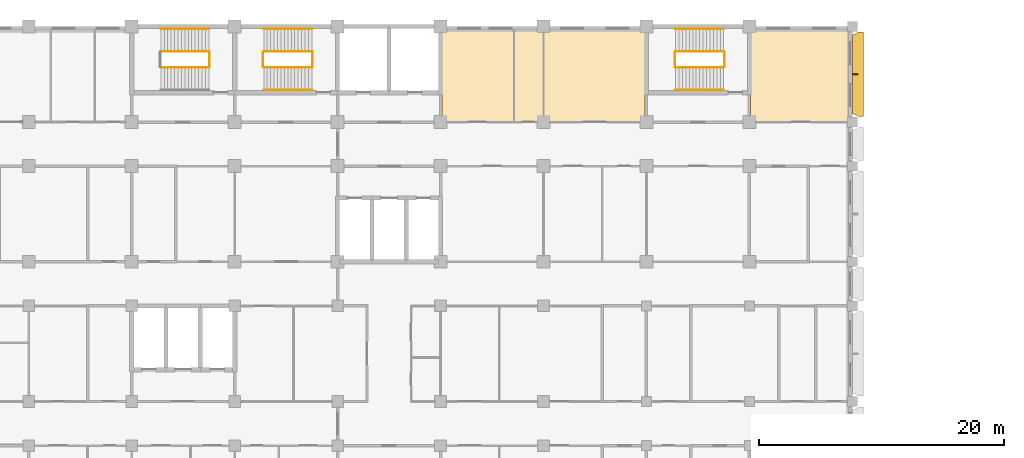
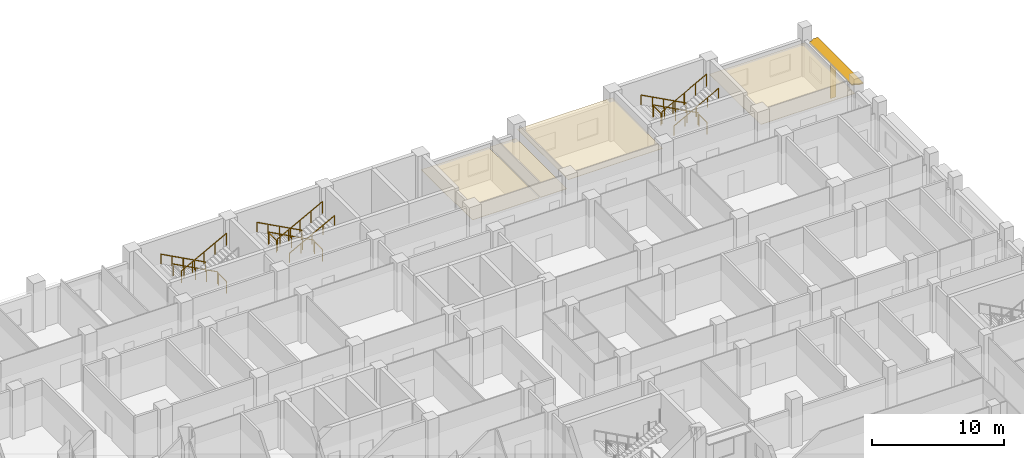
# One storey, part 134 of 136: 16 railings, 4 coverings, 2 shading devices.
"""IFC4 building model written with IfcOpenShell, lengths in metres."""

from ifc_helpers import new_model, si_unit, direction, frame, origin, origin_2d, place, context, subcontext, project, spatial, polyline, rectangle, circle, outline, extrude, material, layer, layer_set, material_profile, profile_set, type_object, element, save


model = new_model("IFC4")

# Units and contexts
model_context = context("Model", 3, precision=1e-05, world=origin(), true_north=direction((0.0, 1.0)))
body_context = subcontext(model_context, "Body", "Model", "MODEL_VIEW")
ifc_project = project(units=[si_unit("LENGTHUNIT", "METRE"), si_unit("AREAUNIT", "SQUARE_METRE"), si_unit("VOLUMEUNIT", "CUBIC_METRE"), si_unit("PLANEANGLEUNIT", "RADIAN"), si_unit("MASSUNIT", "GRAM", prefix="KILO")], contexts=[model_context])

# Site, building, storey
site_placement = place(None, origin())
site = spatial("IfcSite", under=ifc_project, at=site_placement, CompositionType="ELEMENT")
building_placement = place(site_placement, origin())
building = spatial("IfcBuilding", under=site, at=building_placement, Name="Bougainvillea Quay General Hospital", CompositionType="ELEMENT")
storey_placement = place(building_placement, frame((0.0, 0.0, 5.39990234375)))
storey = spatial("IfcBuildingStorey", under=building, at=storey_placement, Name="L01", CompositionType="ELEMENT", Elevation=5.39990234375)

# Railings
ifc_material_1 = material(Name="Stainless steel 304 balustrade", Category="steel")
railing_type_1 = type_object("IfcRailingType", Name="Stair guard 1100", PredefinedType="GUARDRAIL", material=ifc_material_1)
railing_1_placement = place(storey_placement, frame((149.10009765625, 157.550048828125, 0.150146484375)))
element("IfcRailing", 1, at=railing_1_placement, inside=storey, type_object=railing_type_1, Name="L01 ST-D3 stair guard 1", PredefinedType="GUARDRAIL", context=body_context, shape_type="SweptSolid", body=[
    extrude(circle(Radius=0.02392578125, at=origin_2d()), frame((0.0, 0.0, 1.076171875), z_axis=(-0.881502004561, 0.0, 0.472180279083), x_axis=(0.0, -1.0, 0.0)), (0.0, 0.0, 1.0), 4.447265625),
    extrude(circle(Radius=0.02099609375, at=origin_2d()), origin(), (0.0, 0.0, 1.0), 1.052001953125),
    extrude(circle(Radius=0.02099609375, at=origin_2d()), frame((-0.97998046875, 0.0, 0.52490234375)), (0.0, 0.0, 1.0), 1.052001953125),
    extrude(circle(Radius=0.02099609375, at=origin_2d()), frame((-1.9599609375, 0.0, 1.0498046875)), (0.0, 0.0, 1.0), 1.052001953125),
    extrude(circle(Radius=0.02099609375, at=origin_2d()), frame((-2.940185546875, 0.0, 1.574951171875)), (0.0, 0.0, 1.0), 1.052001953125),
    extrude(circle(Radius=0.02099609375, at=origin_2d()), frame((-3.920166015625, 0.0, 2.099853515625)), (0.0, 0.0, 1.0), 1.052001953125),
])
railing_2_placement = place(storey_placement, frame((145.1298828125, 157.5, 2.25)))
element("IfcRailing", 2, at=railing_2_placement, inside=storey, type_object=railing_type_1, Name="L01 ST-D3 stair guard 2", PredefinedType="GUARDRAIL", context=body_context, shape_type="SweptSolid", body=[
    extrude(circle(Radius=0.02392578125, at=origin_2d()), frame((0.0, 0.0, 1.076171875), z_axis=(0.0, -1.0, 0.0), x_axis=(1.0, 0.0, 0.0)), (0.0, 0.0, 1.0), 1.199951171875),
    extrude(circle(Radius=0.02099609375, at=origin_2d()), origin(), (0.0, 0.0, 1.0), 1.052001953125),
    extrude(circle(Radius=0.02099609375, at=origin_2d()), frame((0.0, -1.199951171875, 0.0)), (0.0, 0.0, 1.0), 1.052001953125),
])
railing_3_placement = place(storey_placement, frame((145.179931640625, 156.25, 2.400146484375)))
element("IfcRailing", 3, at=railing_3_placement, inside=storey, type_object=railing_type_1, Name="L01 ST-D3 stair guard 3", PredefinedType="GUARDRAIL", context=body_context, shape_type="SweptSolid", body=[
    extrude(circle(Radius=0.02392578125, at=origin_2d()), frame((0.0, 0.0, 1.076171875), z_axis=(0.881502004561, 0.0, 0.472180279083), x_axis=(0.0, 1.0, 0.0)), (0.0, 0.0, 1.0), 4.447265625),
    extrude(circle(Radius=0.02099609375, at=origin_2d()), origin(), (0.0, 0.0, 1.0), 1.052001953125),
    extrude(circle(Radius=0.02099609375, at=origin_2d()), frame((0.97998046875, 0.0, 0.52490234375)), (0.0, 0.0, 1.0), 1.052001953125),
    extrude(circle(Radius=0.02099609375, at=origin_2d()), frame((1.9599609375, 0.0, 1.0498046875)), (0.0, 0.0, 1.0), 1.052001953125),
    extrude(circle(Radius=0.02099609375, at=origin_2d()), frame((2.940185546875, 0.0, 1.574951171875)), (0.0, 0.0, 1.0), 1.052001953125),
    extrude(circle(Radius=0.02099609375, at=origin_2d()), frame((3.920166015625, 0.0, 2.099853515625)), (0.0, 0.0, 1.0), 1.052001953125),
])
railing_4_placement = place(storey_placement, frame((149.14990234375, 157.5, 0.0)))
element("IfcRailing", 4, at=railing_4_placement, inside=storey, type_object=railing_type_1, Name="L01 ST-D3 stair guard 4", PredefinedType="GUARDRAIL", context=body_context, shape_type="SweptSolid", body=[
    extrude(circle(Radius=0.02392578125, at=origin_2d()), frame((0.0, 0.0, 1.076171875), z_axis=(0.0, -1.0, 0.0), x_axis=(1.0, 0.0, 0.0)), (0.0, 0.0, 1.0), 1.199951171875),
    extrude(circle(Radius=0.02099609375, at=origin_2d()), origin(), (0.0, 0.0, 1.0), 1.052001953125),
    extrude(circle(Radius=0.02099609375, at=origin_2d()), frame((0.0, -1.199951171875, 0.0)), (0.0, 0.0, 1.0), 1.052001953125),
])
railing_5_placement = place(storey_placement, frame((140.699951171875, 157.550048828125, 0.150146484375)))
element("IfcRailing", 5, at=railing_5_placement, inside=storey, type_object=railing_type_1, Name="L01 ST-A3 stair guard 1", PredefinedType="GUARDRAIL", context=body_context, shape_type="SweptSolid", body=[
    extrude(circle(Radius=0.02392578125, at=origin_2d()), frame((0.0, 0.0, 1.076171875), z_axis=(-0.881489763865, 0.0, 0.472203130232), x_axis=(0.0, -1.0, 0.0)), (0.0, 0.0, 1.0), 4.447021484375),
    extrude(circle(Radius=0.02099609375, at=origin_2d()), origin(), (0.0, 0.0, 1.0), 1.052001953125),
    extrude(circle(Radius=0.02099609375, at=origin_2d()), frame((-0.97998046875, 0.0, 0.52490234375)), (0.0, 0.0, 1.0), 1.052001953125),
    extrude(circle(Radius=0.02099609375, at=origin_2d()), frame((-1.9599609375, 0.0, 1.0498046875)), (0.0, 0.0, 1.0), 1.052001953125),
    extrude(circle(Radius=0.02099609375, at=origin_2d()), frame((-2.93994140625, 0.0, 1.574951171875)), (0.0, 0.0, 1.0), 1.052001953125),
    extrude(circle(Radius=0.02099609375, at=origin_2d()), frame((-3.919921875, 0.0, 2.099853515625)), (0.0, 0.0, 1.0), 1.052001953125),
])
railing_6_placement = place(storey_placement, frame((136.780029296875, 156.25, 2.400146484375)))
element("IfcRailing", 6, at=railing_6_placement, inside=storey, type_object=railing_type_1, Name="L01 ST-A3 stair guard 3", PredefinedType="GUARDRAIL", context=body_context, shape_type="SweptSolid", body=[
    extrude(circle(Radius=0.02392578125, at=origin_2d()), frame((0.0, 0.0, 1.076171875), z_axis=(0.881489763865, 0.0, 0.472203130232), x_axis=(0.0, 1.0, 0.0)), (0.0, 0.0, 1.0), 4.447021484375),
    extrude(circle(Radius=0.02099609375, at=origin_2d()), origin(), (0.0, 0.0, 1.0), 1.052001953125),
    extrude(circle(Radius=0.02099609375, at=origin_2d()), frame((0.97998046875, 0.0, 0.52490234375)), (0.0, 0.0, 1.0), 1.052001953125),
    extrude(circle(Radius=0.02099609375, at=origin_2d()), frame((1.9599609375, 0.0, 1.0498046875)), (0.0, 0.0, 1.0), 1.052001953125),
    extrude(circle(Radius=0.02099609375, at=origin_2d()), frame((2.93994140625, 0.0, 1.574951171875)), (0.0, 0.0, 1.0), 1.052001953125),
    extrude(circle(Radius=0.02099609375, at=origin_2d()), frame((3.919921875, 0.0, 2.099853515625)), (0.0, 0.0, 1.0), 1.052001953125),
])
railing_7_placement = place(storey_placement, frame((140.75, 157.5, 0.0)))
element("IfcRailing", 7, at=railing_7_placement, inside=storey, type_object=railing_type_1, Name="L01 ST-A3 stair guard 4", PredefinedType="GUARDRAIL", context=body_context, shape_type="SweptSolid", body=[
    extrude(circle(Radius=0.02392578125, at=origin_2d()), frame((0.0, 0.0, 1.076171875), z_axis=(0.0, -1.0, 0.0), x_axis=(1.0, 0.0, 0.0)), (0.0, 0.0, 1.0), 1.199951171875),
    extrude(circle(Radius=0.02099609375, at=origin_2d()), origin(), (0.0, 0.0, 1.0), 1.052001953125),
    extrude(circle(Radius=0.02099609375, at=origin_2d()), frame((0.0, -1.199951171875, 0.0)), (0.0, 0.0, 1.0), 1.052001953125),
])
railing_8_placement = place(storey_placement, frame((182.699951171875, 157.550048828125, 0.150146484375)))
element("IfcRailing", 8, at=railing_8_placement, inside=storey, type_object=railing_type_1, Name="L01 ST-A4 stair guard 1", PredefinedType="GUARDRAIL", context=body_context, shape_type="SweptSolid", body=[
    extrude(circle(Radius=0.02392578125, at=origin_2d()), frame((0.0, 0.0, 1.076171875), z_axis=(-0.881489763865, 0.0, 0.472203130232), x_axis=(0.0, -1.0, 0.0)), (0.0, 0.0, 1.0), 4.447021484375),
    extrude(circle(Radius=0.02099609375, at=origin_2d()), origin(), (0.0, 0.0, 1.0), 1.052001953125),
    extrude(circle(Radius=0.02099609375, at=origin_2d()), frame((-0.97998046875, 0.0, 0.52490234375)), (0.0, 0.0, 1.0), 1.052001953125),
    extrude(circle(Radius=0.02099609375, at=origin_2d()), frame((-1.9599609375, 0.0, 1.0498046875)), (0.0, 0.0, 1.0), 1.052001953125),
    extrude(circle(Radius=0.02099609375, at=origin_2d()), frame((-2.93994140625, 0.0, 1.574951171875)), (0.0, 0.0, 1.0), 1.052001953125),
    extrude(circle(Radius=0.02099609375, at=origin_2d()), frame((-3.919921875, 0.0, 2.099853515625)), (0.0, 0.0, 1.0), 1.052001953125),
])
railing_9_placement = place(storey_placement, frame((178.72998046875, 157.5, 2.25)))
element("IfcRailing", 9, at=railing_9_placement, inside=storey, type_object=railing_type_1, Name="L01 ST-A4 stair guard 2", PredefinedType="GUARDRAIL", context=body_context, shape_type="SweptSolid", body=[
    extrude(circle(Radius=0.02392578125, at=origin_2d()), frame((0.0, 0.0, 1.076171875), z_axis=(0.0, -1.0, 0.0), x_axis=(1.0, 0.0, 0.0)), (0.0, 0.0, 1.0), 1.199951171875),
    extrude(circle(Radius=0.02099609375, at=origin_2d()), origin(), (0.0, 0.0, 1.0), 1.052001953125),
    extrude(circle(Radius=0.02099609375, at=origin_2d()), frame((0.0, -1.199951171875, 0.0)), (0.0, 0.0, 1.0), 1.052001953125),
])
railing_10_placement = place(storey_placement, frame((178.780029296875, 156.25, 2.400146484375)))
element("IfcRailing", 10, at=railing_10_placement, inside=storey, type_object=railing_type_1, Name="L01 ST-A4 stair guard 3", PredefinedType="GUARDRAIL", context=body_context, shape_type="SweptSolid", body=[
    extrude(circle(Radius=0.02392578125, at=origin_2d()), frame((0.0, 0.0, 1.076171875), z_axis=(0.881489763865, 0.0, 0.472203130232), x_axis=(0.0, 1.0, 0.0)), (0.0, 0.0, 1.0), 4.447021484375),
    extrude(circle(Radius=0.02099609375, at=origin_2d()), origin(), (0.0, 0.0, 1.0), 1.052001953125),
    extrude(circle(Radius=0.02099609375, at=origin_2d()), frame((0.97998046875, 0.0, 0.52490234375)), (0.0, 0.0, 1.0), 1.052001953125),
    extrude(circle(Radius=0.02099609375, at=origin_2d()), frame((1.9599609375, 0.0, 1.0498046875)), (0.0, 0.0, 1.0), 1.052001953125),
    extrude(circle(Radius=0.02099609375, at=origin_2d()), frame((2.93994140625, 0.0, 1.574951171875)), (0.0, 0.0, 1.0), 1.052001953125),
    extrude(circle(Radius=0.02099609375, at=origin_2d()), frame((3.919921875, 0.0, 2.099853515625)), (0.0, 0.0, 1.0), 1.052001953125),
])
railing_11_placement = place(storey_placement, frame((182.75, 157.5, 0.0)))
element("IfcRailing", 11, at=railing_11_placement, inside=storey, type_object=railing_type_1, Name="L01 ST-A4 stair guard 4", PredefinedType="GUARDRAIL", context=body_context, shape_type="SweptSolid", body=[
    extrude(circle(Radius=0.02392578125, at=origin_2d()), frame((0.0, 0.0, 1.076171875), z_axis=(0.0, -1.0, 0.0), x_axis=(1.0, 0.0, 0.0)), (0.0, 0.0, 1.0), 1.199951171875),
    extrude(circle(Radius=0.02099609375, at=origin_2d()), origin(), (0.0, 0.0, 1.0), 1.052001953125),
    extrude(circle(Radius=0.02099609375, at=origin_2d()), frame((0.0, -1.199951171875, 0.0)), (0.0, 0.0, 1.0), 1.052001953125),
])
ifc_material_2 = material(Name="Stainless steel 304 handrail", Category="steel")
railing_type_2 = type_object("IfcRailingType", Name="Stair handrail 900", PredefinedType="HANDRAIL", material=ifc_material_2)
railing_12_placement = place(storey_placement, frame((149.10009765625, 159.375, 0.150146484375)))
element("IfcRailing", 12, at=railing_12_placement, inside=storey, type_object=railing_type_2, Name="L01 ST-D3 stair handrail 1", PredefinedType="HANDRAIL", context=body_context, shape_type="SweptSolid", body=[
    extrude(circle(Radius=0.02392578125, at=origin_2d()), frame((0.0, 0.0, 0.8759765625), z_axis=(-0.881502004561, 0.0, 0.472180279083), x_axis=(0.0, -1.0, 0.0)), (0.0, 0.0, 1.0), 4.447265625),
    extrude(circle(Radius=0.02099609375, at=origin_2d()), origin(), (0.0, 0.0, 1.0), 0.851806640625),
    extrude(circle(Radius=0.02099609375, at=origin_2d()), frame((-0.97998046875, 0.0, 0.52490234375)), (0.0, 0.0, 1.0), 0.851806640625),
    extrude(circle(Radius=0.02099609375, at=origin_2d()), frame((-1.9599609375, 0.0, 1.0498046875)), (0.0, 0.0, 1.0), 0.851806640625),
    extrude(circle(Radius=0.02099609375, at=origin_2d()), frame((-2.940185546875, 0.0, 1.574951171875)), (0.0, 0.0, 1.0), 0.851806640625),
    extrude(circle(Radius=0.02099609375, at=origin_2d()), frame((-3.920166015625, 0.0, 2.099853515625)), (0.0, 0.0, 1.0), 0.851806640625),
])
railing_13_placement = place(storey_placement, frame((145.179931640625, 154.425048828125, 2.400146484375)))
element("IfcRailing", 13, at=railing_13_placement, inside=storey, type_object=railing_type_2, Name="L01 ST-D3 stair handrail 2", PredefinedType="HANDRAIL", context=body_context, shape_type="SweptSolid", body=[
    extrude(circle(Radius=0.02392578125, at=origin_2d()), frame((0.0, 0.0, 0.8759765625), z_axis=(0.881502004561, 0.0, 0.472180279083), x_axis=(0.0, 1.0, 0.0)), (0.0, 0.0, 1.0), 4.447265625),
    extrude(circle(Radius=0.02099609375, at=origin_2d()), origin(), (0.0, 0.0, 1.0), 0.851806640625),
    extrude(circle(Radius=0.02099609375, at=origin_2d()), frame((0.97998046875, 0.0, 0.52490234375)), (0.0, 0.0, 1.0), 0.851806640625),
    extrude(circle(Radius=0.02099609375, at=origin_2d()), frame((1.9599609375, 0.0, 1.0498046875)), (0.0, 0.0, 1.0), 0.851806640625),
    extrude(circle(Radius=0.02099609375, at=origin_2d()), frame((2.940185546875, 0.0, 1.574951171875)), (0.0, 0.0, 1.0), 0.851806640625),
    extrude(circle(Radius=0.02099609375, at=origin_2d()), frame((3.920166015625, 0.0, 2.099853515625)), (0.0, 0.0, 1.0), 0.851806640625),
])
for number, where, name in (
    (14, (140.699951171875, 159.375, 0.150146484375), "L01 ST-A3 stair handrail 1"),
    (15, (182.699951171875, 159.375, 0.150146484375), "L01 ST-A4 stair handrail 1"),
):
    element("IfcRailing", number, at=place(storey_placement, frame(where)), inside=storey, type_object=railing_type_2, Name=name, PredefinedType="HANDRAIL", context=body_context, shape_type="SweptSolid", body=[
        extrude(circle(Radius=0.02392578125, at=origin_2d()), frame((0.0, 0.0, 0.8759765625), z_axis=(-0.881489763865, 0.0, 0.472203130232), x_axis=(0.0, -1.0, 0.0)), (0.0, 0.0, 1.0), 4.447021484375),
        extrude(circle(Radius=0.02099609375, at=origin_2d()), origin(), (0.0, 0.0, 1.0), 0.851806640625),
        extrude(circle(Radius=0.02099609375, at=origin_2d()), frame((-0.97998046875, 0.0, 0.52490234375)), (0.0, 0.0, 1.0), 0.851806640625),
        extrude(circle(Radius=0.02099609375, at=origin_2d()), frame((-1.9599609375, 0.0, 1.0498046875)), (0.0, 0.0, 1.0), 0.851806640625),
        extrude(circle(Radius=0.02099609375, at=origin_2d()), frame((-2.93994140625, 0.0, 1.574951171875)), (0.0, 0.0, 1.0), 0.851806640625),
        extrude(circle(Radius=0.02099609375, at=origin_2d()), frame((-3.919921875, 0.0, 2.099853515625)), (0.0, 0.0, 1.0), 0.851806640625),
    ])
railing_14_placement = place(storey_placement, frame((178.780029296875, 154.425048828125, 2.400146484375)))
element("IfcRailing", 16, at=railing_14_placement, inside=storey, type_object=railing_type_2, Name="L01 ST-A4 stair handrail 2", PredefinedType="HANDRAIL", context=body_context, shape_type="SweptSolid", body=[
    extrude(circle(Radius=0.02392578125, at=origin_2d()), frame((0.0, 0.0, 0.8759765625), z_axis=(0.881489763865, 0.0, 0.472203130232), x_axis=(0.0, 1.0, 0.0)), (0.0, 0.0, 1.0), 4.447021484375),
    extrude(circle(Radius=0.02099609375, at=origin_2d()), origin(), (0.0, 0.0, 1.0), 0.851806640625),
    extrude(circle(Radius=0.02099609375, at=origin_2d()), frame((0.97998046875, 0.0, 0.52490234375)), (0.0, 0.0, 1.0), 0.851806640625),
    extrude(circle(Radius=0.02099609375, at=origin_2d()), frame((1.9599609375, 0.0, 1.0498046875)), (0.0, 0.0, 1.0), 0.851806640625),
    extrude(circle(Radius=0.02099609375, at=origin_2d()), frame((2.93994140625, 0.0, 1.574951171875)), (0.0, 0.0, 1.0), 0.851806640625),
    extrude(circle(Radius=0.02099609375, at=origin_2d()), frame((3.919921875, 0.0, 2.099853515625)), (0.0, 0.0, 1.0), 0.851806640625),
])

# Shading device
ifc_material_3 = material(Name="Powder-coated aluminium canopy soffit and fascia, white", Category="aluminium")
ifc_layer_1 = layer(ifc_material_3, 0.10009765625)
ifc_layer_set_1 = layer_set([ifc_layer_1], Name="Powder-coated aluminium canopy soffit and fascia, white")
shading_device_type_1 = type_object("IfcShadingDeviceType", Name="Sunshade 100", PredefinedType="USERDEFINED", material=ifc_layer_set_1)
shading_device_1_placement = place(storey_placement, frame((0.0, 0.0, 3.150146484375)))
element("IfcShadingDevice", 17, at=shading_device_1_placement, inside=storey, type_object=shading_device_type_1, Name="Sunshade 0", ObjectType="Sunshade", PredefinedType="USERDEFINED", context=body_context, shape_type="SweptSolid", body=[
    extrude(outline(polyline([(193.199951171875, 158.949951171875), (193.199951171875, 152.449951171875), (193.326904296875, 152.4375), (193.44873046875, 152.400634765625), (193.56103515625, 152.340576171875), (193.66845703125, 152.25), (194.10009765625, 152.25), (194.10009765625, 159.14990234375), (193.66845703125, 159.14990234375), (193.56103515625, 159.0595703125), (193.44873046875, 158.99951171875), (193.326904296875, 158.96240234375), (193.199951171875, 158.949951171875)])), origin(), (0.0, 0.0, 1.0), 0.099853515625),
])

# Coverings
ifc_material_4 = material(Name="Mineral fibre ceiling tile")
ifc_layer_2 = layer(ifc_material_4, 0.030029296875)
ifc_layer_set_2 = layer_set([ifc_layer_2], Name="Mineral fibre ceiling tile")
covering_type = type_object("IfcCoveringType", Name="Suspended ceiling mineral fibre tile", PredefinedType="CEILING", material=ifc_layer_set_2)
covering_1_placement = place(storey_placement, frame((0.0, 0.0, 2.800048828125)))
element("IfcCovering", 18, at=covering_1_placement, inside=storey, type_object=covering_type, Name="Ceiling Dialysis Treatment Bay Room 05", PredefinedType="CEILING", context=body_context, shape_type="SweptSolid", body=[
    extrude(outline(polyline([(159.699951171875, 154.300048828125), (159.699951171875, 151.85009765625), (165.548095703125, 151.85009765625), (165.548095703125, 159.552001953125), (159.64990234375, 159.552001953125), (159.64990234375, 154.300048828125), (159.699951171875, 154.300048828125)])), origin(), (0.0, 0.0, 1.0), 0.030029296875),
])
covering_2_placement = place(storey_placement, frame((0.0, 0.0, 2.800048828125)))
element("IfcCovering", 19, at=covering_2_placement, inside=storey, type_object=covering_type, Name="Ceiling Dialysis Clean Utility", PredefinedType="CEILING", context=body_context, shape_type="SweptSolid", body=[
    extrude(outline(polyline([(167.947998046875, 151.85009765625), (167.947998046875, 159.552001953125), (165.64794921875, 159.552001953125), (165.64794921875, 151.85009765625), (167.947998046875, 151.85009765625)])), origin(), (0.0, 0.0, 1.0), 0.030029296875),
])
covering_3_placement = place(storey_placement, frame((0.0, 0.0, 3.60009765625)))
element("IfcCovering", 20, at=covering_3_placement, inside=storey, type_object=covering_type, Name="Ceiling Dialysis Waiting Room", PredefinedType="CEILING", context=body_context, shape_type="SweptSolid", body=[
    extrude(outline(polyline([(176.347900390625, 159.552001953125), (168.048095703125, 159.552001953125), (168.048095703125, 151.85009765625), (176.300048828125, 151.85009765625), (176.300048828125, 154.300048828125), (176.347900390625, 154.300048828125), (176.347900390625, 159.552001953125)])), origin(), (0.0, 0.0, 1.0), 0.030029296875),
])
covering_4_placement = place(storey_placement, frame((0.0, 0.0, 2.800048828125)))
element("IfcCovering", 21, at=covering_4_placement, inside=storey, type_object=covering_type, Name="Ceiling Dialysis Treatment Bay Room 07", PredefinedType="CEILING", context=body_context, shape_type="SweptSolid", body=[
    extrude(outline(polyline([(193.14990234375, 151.85009765625), (193.14990234375, 159.552001953125), (184.85009765625, 159.552001953125), (184.85009765625, 154.300048828125), (184.89990234375, 154.300048828125), (184.89990234375, 151.85009765625), (193.14990234375, 151.85009765625)])), origin(), (0.0, 0.0, 1.0), 0.030029296875),
])

# Shading device
ifc_material_5 = material(Name="Powder-coated aluminium fin, white", Category="aluminium")
ifc_material_profile = material_profile(ifc_material_5, rectangle(XDim=0.449951171875, YDim=0.10009765625, at=origin_2d()))
ifc_profile_set = profile_set([ifc_material_profile], Name="Powder-coated aluminium fin, white")
shading_device_type_2 = type_object("IfcShadingDeviceType", Name="Vertical fin 450x100", PredefinedType="USERDEFINED", material=ifc_profile_set)
shading_device_2_placement = place(storey_placement, frame((193.425048828125, 155.699951171875, 0.0), z_axis=(0.0, 0.0, 1.0), x_axis=(1.0, 0.0, 0.0)))
element("IfcShadingDevice", 22, at=shading_device_2_placement, inside=storey, type_object=shading_device_type_2, Name="Vertical fin 00g 1", ObjectType="Vertical fin", PredefinedType="USERDEFINED", context=body_context, shape_type="SweptSolid", body=[
    extrude(rectangle(XDim=0.449951171875, YDim=0.10009765625, at=origin_2d()), origin(), (0.0, 0.0, 1.0), 3.150146484375),
])

save(model, "model.ifc")
